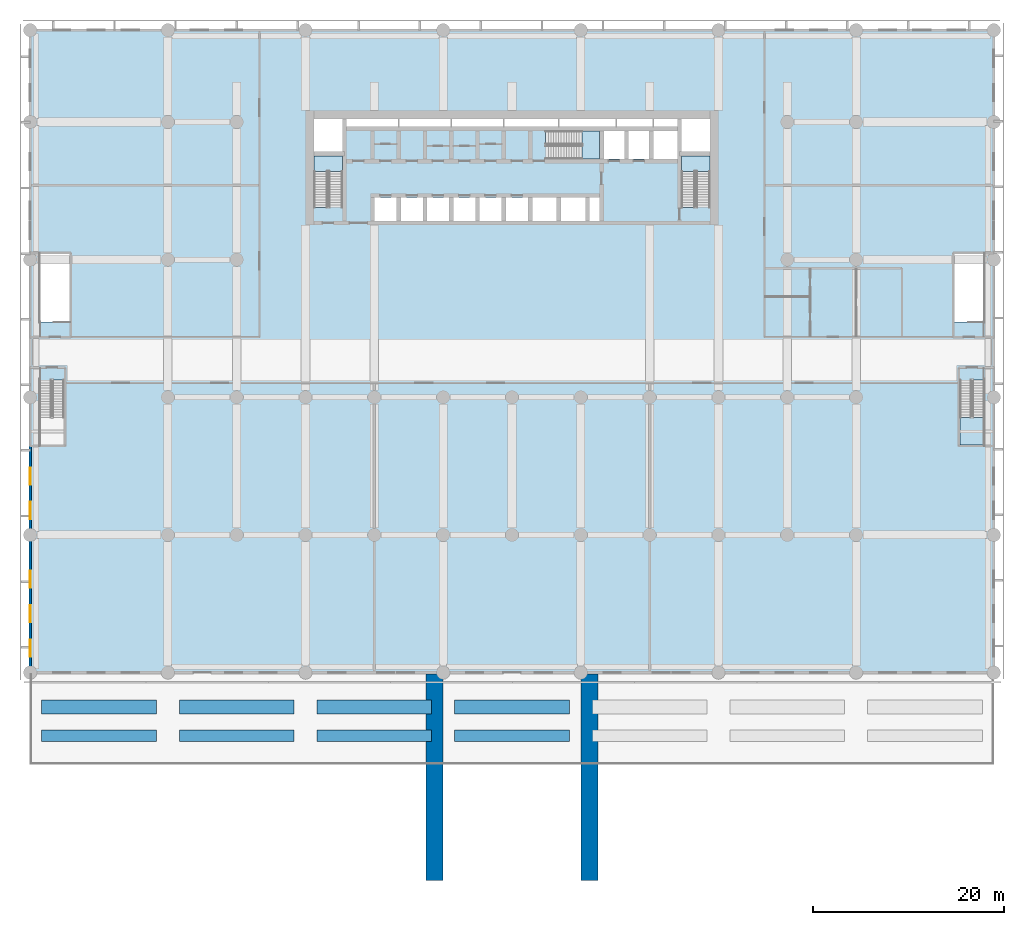
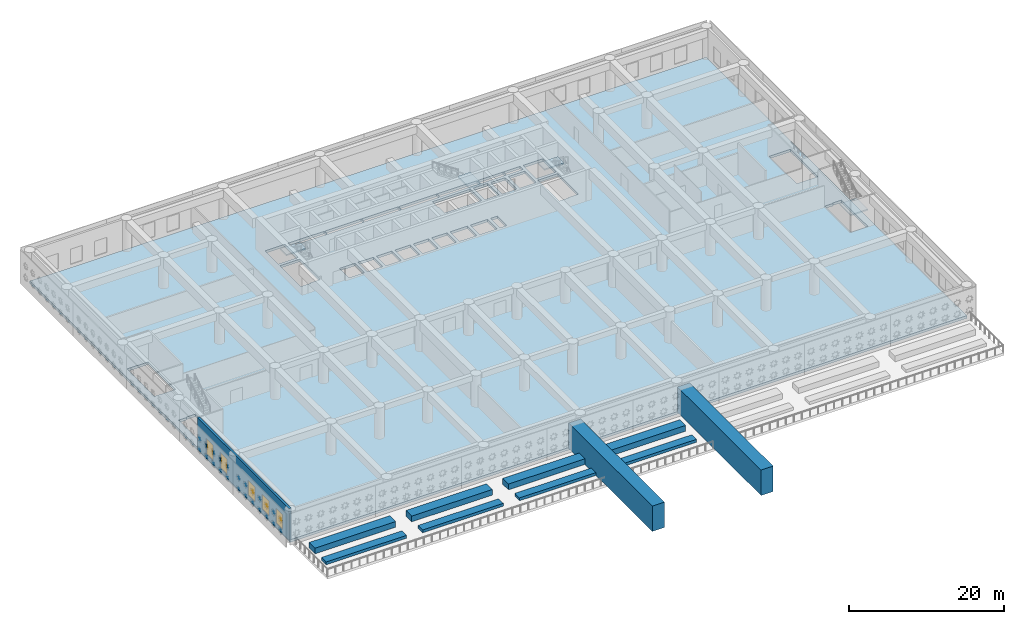
# One storey, part 2 of 24: 11 walls, 5 slabs, 5 windows, 5 openings, 4 elements without a shape of their own.
"""IFC4 building model written with IfcOpenShell, lengths in metres."""

from ifc_helpers import new_model, si_unit, direction, frame, frame_2d, origin, place, context, subcontext, project, spatial, polyline, rectangle, outline, extrude, material, layer, layer_set, type_object, element, fill, aggregate, save


model = new_model("IFC4")

# Units and contexts
model_context = context("Model", 3, precision=1e-05, world=origin(), true_north=direction((0.0, 1.0)))
body_context = subcontext(model_context, "Body", "Model", "MODEL_VIEW")
ifc_project = project(units=[si_unit("LENGTHUNIT", "METRE"), si_unit("AREAUNIT", "SQUARE_METRE"), si_unit("VOLUMEUNIT", "CUBIC_METRE"), si_unit("PLANEANGLEUNIT", "RADIAN"), si_unit("MASSUNIT", "GRAM", prefix="KILO")], contexts=[model_context])

# Site, building, storey
site_placement = place(None, origin())
site = spatial("IfcSite", under=ifc_project, at=site_placement, CompositionType="ELEMENT")
building_placement = place(site_placement, origin())
building = spatial("IfcBuilding", under=site, at=building_placement, Name="Saffron Iwan Residences", CompositionType="ELEMENT")
storey_placement = place(building_placement, frame((0.0, 0.0, 21.60009765625)))
storey = spatial("IfcBuildingStorey", under=building, at=storey_placement, Name="L04", CompositionType="ELEMENT", Elevation=21.60009765625)

# Slab
ifc_material_1 = material(Name="Concrete C40/50", Category="concrete")
ifc_layer_1 = layer(ifc_material_1, 0.39990234375)
ifc_layer_set_1 = layer_set([ifc_layer_1], Name="Concrete C40/50")
slab_type_1 = type_object("IfcSlabType", Name="PT PLATE 400 C40/50", PredefinedType="FLOOR", material=ifc_layer_set_1)
slab_1_placement = place(storey_placement, frame((0.0, 0.0, -0.400146484375)))
element("IfcSlab", 1, at=slab_1_placement, inside=storey, type_object=slab_type_1, Name="Floor slab L04", PredefinedType="FLOOR", context=body_context, shape_type="SweptSolid", body=[
    extrude(outline(polyline([(0.0, 19.199951171875), (0.0, 86.39990234375), (100.800048828125, 86.39990234375), (100.800048828125, 19.199951171875), (0.0, 19.199951171875)]), holes=[polyline([(2.199951171875, 49.699951171875), (1.0, 49.699951171875), (1.0, 43.0), (3.550048828125, 43.0), (3.550048828125, 49.799560546875), (2.199951171875, 49.799560546875), (2.199951171875, 49.699951171875)]), polyline([(1.0, 63.0), (1.0, 55.900390625), (4.14990234375, 55.900390625), (4.14990234375, 63.0), (1.0, 63.0)]), polyline([(38.324951171875, 66.449951171875), (38.324951171875, 68.875), (36.02490234375, 68.875), (36.02490234375, 66.449951171875), (38.324951171875, 66.449951171875)]), polyline([(41.074951171875, 66.449951171875), (41.074951171875, 68.875), (38.77490234375, 68.875), (38.77490234375, 66.449951171875), (41.074951171875, 66.449951171875)]), polyline([(43.824951171875, 66.449951171875), (43.824951171875, 68.875), (41.52490234375, 68.875), (41.52490234375, 66.449951171875), (43.824951171875, 66.449951171875)]), polyline([(46.574951171875, 66.449951171875), (46.574951171875, 68.875), (44.27490234375, 68.875), (44.27490234375, 66.449951171875), (46.574951171875, 66.449951171875)]), polyline([(49.324951171875, 66.449951171875), (49.324951171875, 68.875), (47.02490234375, 68.875), (47.02490234375, 66.449951171875), (49.324951171875, 66.449951171875)]), polyline([(52.074951171875, 68.875), (49.77490234375, 68.875), (49.77490234375, 66.449951171875), (52.074951171875, 66.449951171875), (52.074951171875, 68.875)]), polyline([(32.64990234375, 73.25), (29.699951171875, 73.25), (29.699951171875, 67.949951171875), (29.699951171875, 67.8505859375), (31.10009765625, 67.8505859375), (31.10009765625, 67.949951171875), (32.64990234375, 67.949951171875), (32.64990234375, 73.25)]), polyline([(32.64990234375, 73.699951171875), (32.64990234375, 77.10009765625), (29.699951171875, 77.10009765625), (29.699951171875, 73.699951171875), (32.64990234375, 73.699951171875)]), polyline([(38.5, 76.324951171875), (38.5, 77.10009765625), (33.10009765625, 77.10009765625), (33.10009765625, 76.324951171875), (38.5, 76.324951171875)]), polyline([(44.0, 76.324951171875), (44.0, 77.10009765625), (38.60009765625, 77.10009765625), (38.60009765625, 76.324951171875), (44.0, 76.324951171875)]), polyline([(49.5, 76.324951171875), (49.5, 77.10009765625), (44.10009765625, 77.10009765625), (44.10009765625, 76.324951171875), (49.5, 76.324951171875)]), polyline([(55.25, 76.324951171875), (55.25, 77.10009765625), (49.60009765625, 77.10009765625), (49.60009765625, 76.324951171875), (55.25, 76.324951171875)]), polyline([(98.449951171875, 49.699951171875), (97.25, 49.699951171875), (97.25, 43.0), (99.800048828125, 43.0), (99.800048828125, 49.799560546875), (98.449951171875, 49.799560546875), (98.449951171875, 49.699951171875)]), polyline([(96.64990234375, 63.0), (96.64990234375, 55.900390625), (99.800048828125, 55.900390625), (99.800048828125, 63.0), (96.64990234375, 63.0)]), polyline([(55.074951171875, 66.449951171875), (55.074951171875, 68.875), (52.52490234375, 68.875), (52.52490234375, 66.449951171875), (55.074951171875, 66.449951171875)]), polyline([(58.074951171875, 66.449951171875), (58.074951171875, 68.875), (55.52490234375, 68.875), (55.52490234375, 66.449951171875), (58.074951171875, 66.449951171875)]), polyline([(59.550048828125, 66.449951171875), (59.550048828125, 68.875), (58.52490234375, 68.875), (58.52490234375, 66.449951171875), (59.550048828125, 66.449951171875)]), polyline([(71.10009765625, 73.25), (68.14990234375, 73.25), (68.14990234375, 67.949951171875), (68.14990234375, 67.8505859375), (69.550048828125, 67.8505859375), (69.550048828125, 67.949951171875), (71.10009765625, 67.949951171875), (71.10009765625, 73.25)]), polyline([(53.925537109375, 74.47509765625), (54.02490234375, 74.47509765625), (54.02490234375, 72.925048828125), (59.550048828125, 72.925048828125), (59.550048828125, 75.875), (54.02490234375, 75.875), (53.925537109375, 75.875), (53.925537109375, 74.47509765625)]), polyline([(62.14990234375, 75.875), (60.0, 75.875), (60.0, 72.925048828125), (62.14990234375, 72.925048828125), (62.14990234375, 75.875)]), polyline([(64.75, 72.925048828125), (64.75, 75.875), (62.60009765625, 75.875), (62.60009765625, 72.925048828125), (64.75, 72.925048828125)]), polyline([(67.699951171875, 72.925048828125), (67.699951171875, 75.875), (65.199951171875, 75.875), (65.199951171875, 72.925048828125), (67.699951171875, 72.925048828125)]), polyline([(71.10009765625, 73.699951171875), (71.10009765625, 77.10009765625), (68.14990234375, 77.10009765625), (68.14990234375, 73.699951171875), (71.10009765625, 73.699951171875)]), polyline([(61.25, 76.324951171875), (61.25, 77.10009765625), (55.35009765625, 77.10009765625), (55.35009765625, 76.324951171875), (61.25, 76.324951171875)]), polyline([(65.14990234375, 76.324951171875), (65.14990234375, 77.10009765625), (61.35009765625, 77.10009765625), (61.35009765625, 76.324951171875), (65.14990234375, 76.324951171875)]), polyline([(67.699951171875, 76.324951171875), (67.699951171875, 77.10009765625), (65.25, 77.10009765625), (65.25, 76.324951171875), (67.699951171875, 76.324951171875)])]), origin(), (0.0, 0.0, 1.0), 0.400146484375),
])

# Stair, slab
stair_type_1 = type_object("IfcStairType", Name="Podium stair, reinforced concrete", PredefinedType="HALF_TURN_STAIR", material=ifc_material_1)
stair_1_placement = place(storey_placement, origin())
stair_1 = element("IfcStair", 2, at=stair_1_placement, inside=storey, type_object=stair_type_1, Name="L04 Podium Stair 2", PredefinedType="HALF_TURN_STAIR")
ifc_layer_2 = layer(ifc_material_1, 0.199951171875)
ifc_layer_set_2 = layer_set([ifc_layer_2], Name="Concrete C40/50")
slab_type_2 = type_object("IfcSlabType", Name="Podium stair landing, reinforced concrete", PredefinedType="LANDING", material=ifc_layer_set_2)
slab_2_placement = place(storey_placement, frame((0.0, 0.0, 2.499755859375)))
slab_2 = element("IfcSlab", 3, at=slab_2_placement, type_object=slab_type_2, Name="PS2 landing 1", PredefinedType="LANDING", context=body_context, shape_type="SweptSolid", body=[
    extrude(outline(polyline([(97.25, 45.8798828125), (97.25, 43.0), (99.800048828125, 43.0), (99.800048828125, 45.8798828125), (97.25, 45.8798828125)])), origin(), (0.0, 0.0, 1.0), 0.2001953125),
])
aggregate(stair_1, [slab_2])

ifc_material_2 = material(Name="Concrete C50/60", Category="concrete")
stair_type_2 = type_object("IfcStairType", Name="Stair ST-CORE", PredefinedType="HALF_TURN_STAIR", material=ifc_material_2)
stair_2_placement = place(storey_placement, origin())
stair_2 = element("IfcStair", 4, at=stair_2_placement, inside=storey, type_object=stair_type_2, Name="L04 Exit Stair ST-W", PredefinedType="HALF_TURN_STAIR")
ifc_layer_3 = layer(ifc_material_2, 0.199951171875)
ifc_layer_set_3 = layer_set([ifc_layer_3], Name="Concrete C50/60")
slab_type_3 = type_object("IfcSlabType", Name="Stair landing SL-RC", PredefinedType="LANDING", material=ifc_layer_set_3)
slab_3_placement = place(storey_placement, frame((0.0, 0.0, 2.499755859375)))
slab_3 = element("IfcSlab", 5, at=slab_3_placement, type_object=slab_type_3, Name="ST-W landing 1", PredefinedType="LANDING", context=body_context, shape_type="SweptSolid", body=[
    extrude(outline(polyline([(32.64990234375, 71.6298828125), (32.64990234375, 73.25), (29.699951171875, 73.25), (29.699951171875, 71.6298828125), (32.64990234375, 71.6298828125)])), origin(), (0.0, 0.0, 1.0), 0.2001953125),
])
aggregate(stair_2, [slab_3])

stair_3_placement = place(storey_placement, origin())
stair_3 = element("IfcStair", 6, at=stair_3_placement, inside=storey, type_object=stair_type_2, Name="L04 Exit Stair ST-C", PredefinedType="HALF_TURN_STAIR")
slab_4_placement = place(storey_placement, frame((0.0, 0.0, 2.499755859375)))
slab_4 = element("IfcSlab", 7, at=slab_4_placement, type_object=slab_type_3, Name="ST-C landing 1", PredefinedType="LANDING", context=body_context, shape_type="SweptSolid", body=[
    extrude(outline(polyline([(57.705078125, 72.925048828125), (59.550048828125, 72.925048828125), (59.550048828125, 75.875), (57.705078125, 75.875), (57.705078125, 72.925048828125)])), origin(), (0.0, 0.0, 1.0), 0.2001953125),
])
aggregate(stair_3, [slab_4])

stair_4_placement = place(storey_placement, origin())
stair_4 = element("IfcStair", 8, at=stair_4_placement, inside=storey, type_object=stair_type_2, Name="L04 Exit Stair ST-E", PredefinedType="HALF_TURN_STAIR")
slab_5_placement = place(storey_placement, frame((0.0, 0.0, 2.499755859375)))
slab_5 = element("IfcSlab", 9, at=slab_5_placement, type_object=slab_type_3, Name="ST-E landing 1", PredefinedType="LANDING", context=body_context, shape_type="SweptSolid", body=[
    extrude(outline(polyline([(71.10009765625, 71.6298828125), (71.10009765625, 73.25), (68.14990234375, 73.25), (68.14990234375, 71.6298828125), (71.10009765625, 71.6298828125)])), origin(), (0.0, 0.0, 1.0), 0.2001953125),
])
aggregate(stair_4, [slab_5])

# Wall, openings, windows
ifc_material_3 = material(Name="Precast concrete C40/50", Category="concrete")
ifc_layer_4 = layer(ifc_material_3, 0.300048828125)
ifc_layer_set_4 = layer_set([ifc_layer_4], Name="Precast concrete C40/50")
wall_type_1 = type_object("IfcWallType", Name="Podium external wall 300", PredefinedType="SOLIDWALL", material=ifc_layer_set_4)
wall_placement = place(storey_placement, frame((0.0, 19.199951171875, 0.0), z_axis=(0.0, 0.0, 1.0), x_axis=(0.0, 1.0, 0.0)))
wall = element("IfcWall", 10, at=wall_placement, inside=storey, type_object=wall_type_1, Name="W-L04-018", PredefinedType="SOLIDWALL", context=body_context, shape_type="SweptSolid", body=[
    extrude(rectangle(XDim=23.699951171875, YDim=0.300048828125, at=frame_2d((11.85009765625, 0.0))), origin(), (0.0, 0.0, 1.0), 4.949951171875),
])
opening_1_placement = place(wall_placement, frame((1.64990234375, 0.0, 0.60009765625)))
opening_1 = element("IfcOpeningElement", 11, at=opening_1_placement, cuts=wall, Name="Opening W7", PredefinedType="OPENING", context=body_context, shape_type="SweptSolid", body=[
    extrude(rectangle(XDim=1.800048828125, YDim=2.39990234375, at=frame_2d((0.89990234375, 1.199951171875))), frame((0.0, 0.16015625, 0.0), z_axis=(0.0, -1.0, 0.0), x_axis=(1.0, 0.0, 0.0)), (0.0, 0.0, 1.0), 0.320068359375),
])
opening_2_placement = place(wall_placement, frame((5.25, 0.0, 0.60009765625)))
opening_2 = element("IfcOpeningElement", 12, at=opening_2_placement, cuts=wall, Name="Opening W7", PredefinedType="OPENING", context=body_context, shape_type="SweptSolid", body=[
    extrude(rectangle(XDim=1.800048828125, YDim=2.39990234375, at=frame_2d((0.89990234375, 1.199951171875))), frame((0.0, 0.16015625, 0.0), z_axis=(0.0, -1.0, 0.0), x_axis=(1.0, 0.0, 0.0)), (0.0, 0.0, 1.0), 0.320068359375),
])
opening_3_placement = place(wall_placement, frame((8.85009765625, 0.0, 0.60009765625)))
opening_3 = element("IfcOpeningElement", 13, at=opening_3_placement, cuts=wall, Name="Opening W7", PredefinedType="OPENING", context=body_context, shape_type="SweptSolid", body=[
    extrude(rectangle(XDim=1.800048828125, YDim=2.39990234375, at=frame_2d((0.89990234375, 1.199951171875))), frame((0.0, 0.16015625, 0.0), z_axis=(0.0, -1.0, 0.0), x_axis=(1.0, 0.0, 0.0)), (0.0, 0.0, 1.0), 0.320068359375),
])
opening_4_placement = place(wall_placement, frame((16.050048828125, 0.0, 0.60009765625)))
opening_4 = element("IfcOpeningElement", 14, at=opening_4_placement, cuts=wall, Name="Opening W7", PredefinedType="OPENING", context=body_context, shape_type="SweptSolid", body=[
    extrude(rectangle(XDim=1.800048828125, YDim=2.39990234375, at=frame_2d((0.89990234375, 1.199951171875))), frame((0.0, 0.16015625, 0.0), z_axis=(0.0, -1.0, 0.0), x_axis=(1.0, 0.0, 0.0)), (0.0, 0.0, 1.0), 0.320068359375),
])
opening_5_placement = place(wall_placement, frame((19.64990234375, 0.0, 0.60009765625)))
opening_5 = element("IfcOpeningElement", 15, at=opening_5_placement, cuts=wall, Name="Opening W7", PredefinedType="OPENING", context=body_context, shape_type="SweptSolid", body=[
    extrude(rectangle(XDim=1.800048828125, YDim=2.39990234375, at=frame_2d((0.89990234375, 1.199951171875))), frame((0.0, 0.16015625, 0.0), z_axis=(0.0, -1.0, 0.0), x_axis=(1.0, 0.0, 0.0)), (0.0, 0.0, 1.0), 0.320068359375),
])
ifc_material_4 = material(Name="Clear glass, laminated double glazed", Category="glass")
window_type = type_object("IfcWindowType", Name="WINDOW 1800 x 2400 PODIUM", PartitioningType="DOUBLE_PANEL_VERTICAL", PredefinedType="WINDOW", material=ifc_material_4)
window_1_placement = place(opening_1_placement, origin())
window_1 = element("IfcWindow", 16, at=window_1_placement, inside=storey, type_object=window_type, Name="Window L04 W-L04-018.0", OverallHeight=2.39990234375, OverallWidth=1.800048828125, PartitioningType="DOUBLE_PANEL_VERTICAL", PredefinedType="WINDOW", context=body_context, shape_type="SweptSolid", body=[
    extrude(rectangle(XDim=1.800048828125, YDim=2.39990234375, at=frame_2d((0.89990234375, 1.199951171875))), frame((0.0, 0.030029296875, 0.0), z_axis=(0.0, -1.0, 0.0), x_axis=(1.0, 0.0, 0.0)), (0.0, 0.0, 1.0), 0.06005859375),
])
fill(opening_1, window_1)
window_2_placement = place(opening_2_placement, origin())
window_2 = element("IfcWindow", 17, at=window_2_placement, inside=storey, type_object=window_type, Name="Window L04 W-L04-018.1", OverallHeight=2.39990234375, OverallWidth=1.800048828125, PartitioningType="DOUBLE_PANEL_VERTICAL", PredefinedType="WINDOW", context=body_context, shape_type="SweptSolid", body=[
    extrude(rectangle(XDim=1.800048828125, YDim=2.39990234375, at=frame_2d((0.89990234375, 1.199951171875))), frame((0.0, 0.030029296875, 0.0), z_axis=(0.0, -1.0, 0.0), x_axis=(1.0, 0.0, 0.0)), (0.0, 0.0, 1.0), 0.06005859375),
])
fill(opening_2, window_2)
window_3_placement = place(opening_3_placement, origin())
window_3 = element("IfcWindow", 18, at=window_3_placement, inside=storey, type_object=window_type, Name="Window L04 W-L04-018.2", OverallHeight=2.39990234375, OverallWidth=1.800048828125, PartitioningType="DOUBLE_PANEL_VERTICAL", PredefinedType="WINDOW", context=body_context, shape_type="SweptSolid", body=[
    extrude(rectangle(XDim=1.800048828125, YDim=2.39990234375, at=frame_2d((0.89990234375, 1.199951171875))), frame((0.0, 0.030029296875, 0.0), z_axis=(0.0, -1.0, 0.0), x_axis=(1.0, 0.0, 0.0)), (0.0, 0.0, 1.0), 0.06005859375),
])
fill(opening_3, window_3)
window_4_placement = place(opening_4_placement, origin())
window_4 = element("IfcWindow", 19, at=window_4_placement, inside=storey, type_object=window_type, Name="Window L04 W-L04-018.3", OverallHeight=2.39990234375, OverallWidth=1.800048828125, PartitioningType="DOUBLE_PANEL_VERTICAL", PredefinedType="WINDOW", context=body_context, shape_type="SweptSolid", body=[
    extrude(rectangle(XDim=1.800048828125, YDim=2.39990234375, at=frame_2d((0.89990234375, 1.199951171875))), frame((0.0, 0.030029296875, 0.0), z_axis=(0.0, -1.0, 0.0), x_axis=(1.0, 0.0, 0.0)), (0.0, 0.0, 1.0), 0.06005859375),
])
fill(opening_4, window_4)
window_5_placement = place(opening_5_placement, origin())
window_5 = element("IfcWindow", 20, at=window_5_placement, inside=storey, type_object=window_type, Name="Window L04 W-L04-018.4", OverallHeight=2.39990234375, OverallWidth=1.800048828125, PartitioningType="DOUBLE_PANEL_VERTICAL", PredefinedType="WINDOW", context=body_context, shape_type="SweptSolid", body=[
    extrude(rectangle(XDim=1.800048828125, YDim=2.39990234375, at=frame_2d((0.89990234375, 1.199951171875))), frame((0.0, 0.030029296875, 0.0), z_axis=(0.0, -1.0, 0.0), x_axis=(1.0, 0.0, 0.0)), (0.0, 0.0, 1.0), 0.06005859375),
])
fill(opening_5, window_5)

# Walls
ifc_material_5 = material(Name="Terracotta coloured precast concrete C40/50", Category="masonry")
ifc_layer_5 = layer(ifc_material_5, 1.800048828125)
ifc_layer_set_5 = layer_set([ifc_layer_5], Name="Terracotta coloured precast concrete C40/50")
wall_type_2 = type_object("IfcWallType", Name="Portal pier, precast concrete 1800", PredefinedType="SOLIDWALL", material=ifc_layer_set_5)
for number, where, z_axis, x_axis, name in (
    (21, (42.300048828125, -2.550048828125, 0.0), (0.0, 0.0, 1.0), (0.0, 1.0, 0.0), "Portal pier W L04"),
    (22, (58.5, -2.550048828125, 0.0), (0.0, 0.0, 1.0), (0.0, 1.0, 0.0), "Portal pier E L04"),
):
    element("IfcWall", number, at=place(storey_placement, frame(where, z_axis=z_axis, x_axis=x_axis)), inside=storey, type_object=wall_type_2, Name=name, PredefinedType="SOLIDWALL", context=body_context, shape_type="SweptSolid", body=[
        extrude(rectangle(XDim=21.60009765625, YDim=1.800048828125, at=frame_2d((10.800048828125, 0.0))), origin(), (0.0, 0.0, 1.0), 4.0),
    ])
ifc_layer_6 = layer(ifc_material_1, 1.199951171875)
ifc_layer_set_6 = layer_set([ifc_layer_6], Name="Concrete C40/50")
wall_type_3 = type_object("IfcWallType", Name="Terrace planter wall 1200", PredefinedType="SOLIDWALL", material=ifc_layer_set_6)
for number, where, z_axis, x_axis, name in (
    (23, (1.199951171875, 12.60009765625, 0.0), (0.0, 0.0, 1.0), (1.0, 0.0, 0.0), "PLANTER terrace L04 1"),
    (24, (15.60009765625, 12.60009765625, 0.0), (0.0, 0.0, 1.0), (1.0, 0.0, 0.0), "PLANTER terrace L04 3"),
    (25, (30.0, 12.60009765625, 0.0), (0.0, 0.0, 1.0), (1.0, 0.0, 0.0), "PLANTER terrace L04 5"),
    (26, (44.39990234375, 12.60009765625, 0.0), (0.0, 0.0, 1.0), (1.0, 0.0, 0.0), "PLANTER terrace L04 7"),
):
    element("IfcWall", number, at=place(storey_placement, frame(where, z_axis=z_axis, x_axis=x_axis)), inside=storey, type_object=wall_type_3, Name=name, PredefinedType="SOLIDWALL", context=body_context, shape_type="SweptSolid", body=[
        extrude(rectangle(XDim=12.0, YDim=1.199951171875, at=frame_2d((6.0, 0.0))), origin(), (0.0, 0.0, 1.0), 0.449951171875),
    ])
ifc_layer_7 = layer(ifc_material_1, 1.5)
ifc_layer_set_7 = layer_set([ifc_layer_7], Name="Concrete C40/50")
wall_type_4 = type_object("IfcWallType", Name="Terrace planter wall 1500", PredefinedType="SOLIDWALL", material=ifc_layer_set_7)
for number, where, z_axis, x_axis, name in (
    (27, (1.199951171875, 15.60009765625, 0.0), (0.0, 0.0, 1.0), (1.0, 0.0, 0.0), "PLANTER terrace L04 2"),
    (28, (15.60009765625, 15.60009765625, 0.0), (0.0, 0.0, 1.0), (1.0, 0.0, 0.0), "PLANTER terrace L04 4"),
    (29, (30.0, 15.60009765625, 0.0), (0.0, 0.0, 1.0), (1.0, 0.0, 0.0), "PLANTER terrace L04 6"),
    (30, (44.39990234375, 15.60009765625, 0.0), (0.0, 0.0, 1.0), (1.0, 0.0, 0.0), "PLANTER terrace L04 8"),
):
    element("IfcWall", number, at=place(storey_placement, frame(where, z_axis=z_axis, x_axis=x_axis)), inside=storey, type_object=wall_type_4, Name=name, PredefinedType="SOLIDWALL", context=body_context, shape_type="SweptSolid", body=[
        extrude(rectangle(XDim=12.0, YDim=1.5, at=frame_2d((6.0, 0.0))), origin(), (0.0, 0.0, 1.0), 0.89990234375),
    ])

save(model, "model.ifc")
